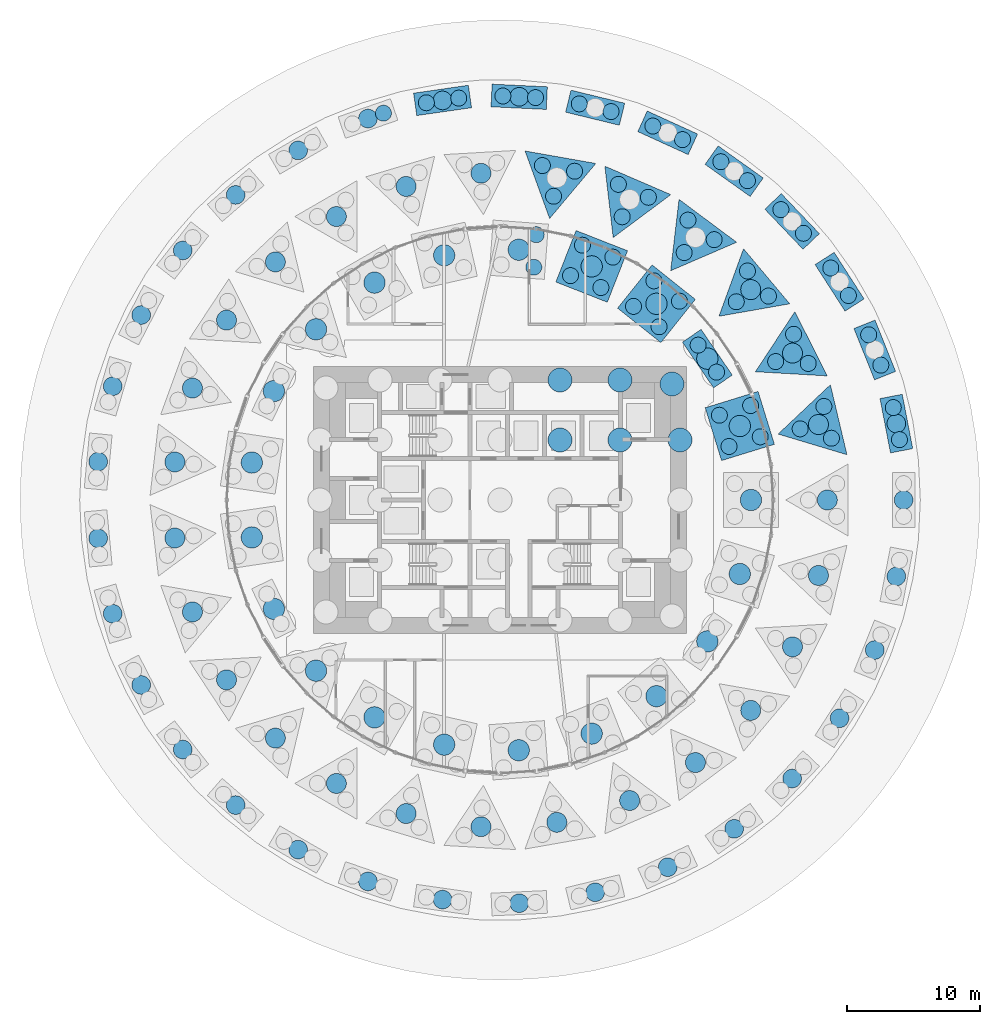
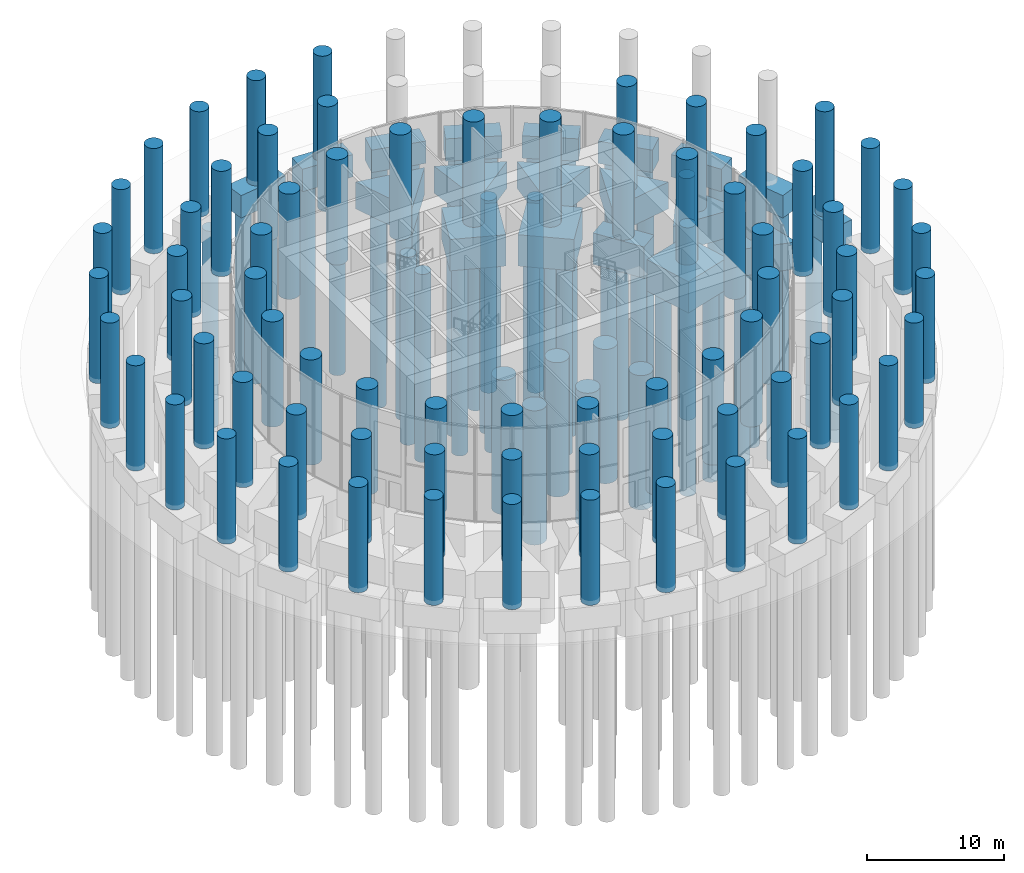
# One storey, part 4 of 20: 72 columns, 59 piles, 19 footings.
"""IFC4 building model written with IfcOpenShell, lengths in metres."""

import ifcopenshell
import ifcopenshell.guid

model = None  # the IFC model being written
_history = None  # IfcOwnerHistory: only IFC2X3 demands one
_inside = {}  # id of a spatial element -> (the spatial element, [elements in it])
_under = {}  # id of a project, library or spatial element -> (it, [spatial elements below it])
_declared = {}  # id of a project -> (the project, [libraries it declares])
_typed = {}  # id of a type object -> (the type object, [elements of that type])
_made_of = {}  # id of a material, layer set ... -> (it, [elements and type objects made of it])


def new_model(schema):
    """Start an empty IFC model of exactly this schema.

    Asked for "IFC4X3", IfcOpenShell would pick the latest addendum, in which some entities
    have other attributes; the version numbers below select the first issue.
    IFC2X3 requires an IfcOwnerHistory on every rooted entity: one is made here for all.
    """
    global model, _history
    if schema == "IFC4X3":
        model = ifcopenshell.file(schema_version=(4, 3, 0, 0))
    else:
        model = ifcopenshell.file(schema=schema)
    _inside.clear()
    _under.clear()
    _declared.clear()
    _typed.clear()
    _made_of.clear()
    _history = None
    if model.schema == "IFC2X3":
        org = make("IfcOrganization", Name="unknown")
        user = make(
            "IfcPersonAndOrganization",
            ThePerson=make("IfcPerson", FamilyName="unknown"),
            TheOrganization=org,
        )
        app = make(
            "IfcApplication",
            ApplicationDeveloper=org,
            Version="unknown",
            ApplicationFullName="unknown",
            ApplicationIdentifier="unknown",
        )
        _history = make(
            "IfcOwnerHistory",
            OwningUser=user,
            OwningApplication=app,
            ChangeAction="ADDED",
            CreationDate=0,
        )
    return model


def make(cls, **values):
    """One entity of the class cls with the attributes given. An attribute that is None is left unset."""
    return model.create_entity(
        cls, **{name: value for name, value in values.items() if value is not None}
    )


def rooted(cls, **values):
    """An entity with a GlobalId (a new one), such as an element, a storey or a relation."""
    return make(cls, GlobalId=ifcopenshell.guid.new(), OwnerHistory=_history, **values)


def si_unit(unit_type, name, prefix=None):
    """IfcSIUnit, for example si_unit("LENGTHUNIT", "METRE", prefix="MILLI")."""
    return make("IfcSIUnit", UnitType=unit_type, Prefix=prefix, Name=name)


def assignment(units):
    """IfcUnitAssignment: the units of a project."""
    return None if units is None else make("IfcUnitAssignment", Units=units)


def point(xyz):
    """IfcCartesianPoint."""
    return None if xyz is None else make("IfcCartesianPoint", Coordinates=xyz)


def direction(xyz):
    """IfcDirection."""
    return None if xyz is None else make("IfcDirection", DirectionRatios=xyz)


def frame(location, z_axis=None, x_axis=None):
    """IfcAxis2Placement3D, a coordinate frame: its origin and axes. An axis left out is left unset."""
    return make(
        "IfcAxis2Placement3D",
        Location=point(location),
        Axis=direction(z_axis),
        RefDirection=direction(x_axis),
    )


def frame_2d(location, x_axis=None):
    """IfcAxis2Placement2D, a coordinate frame in the plane: its origin and x axis."""
    return make(
        "IfcAxis2Placement2D", Location=point(location), RefDirection=direction(x_axis)
    )


def origin():
    """The frame at (0, 0, 0) with its axes left unset."""
    return frame((0.0, 0.0, 0.0))


def origin_2d():
    """The frame at (0, 0) in the plane with its x axis left unset."""
    return frame_2d((0.0, 0.0))


def place(relative_to, where):
    """IfcLocalPlacement: puts the frame where relative to a parent placement (None: the world)."""
    return make(
        "IfcLocalPlacement", PlacementRelTo=relative_to, RelativePlacement=where
    )


def context(
    kind, dimensions, precision=None, world=None, true_north=None, identifier=None
):
    """IfcGeometricRepresentationContext, for example the 3D "Model" context."""
    return make(
        "IfcGeometricRepresentationContext",
        ContextIdentifier=identifier,
        ContextType=kind,
        CoordinateSpaceDimension=dimensions,
        Precision=precision,
        WorldCoordinateSystem=world,
        TrueNorth=true_north,
    )


def subcontext(parent, identifier, kind, view, scale=None):
    """IfcGeometricRepresentationSubContext, for example "Body" below "Model"."""
    return make(
        "IfcGeometricRepresentationSubContext",
        ContextIdentifier=identifier,
        ContextType=kind,
        ParentContext=parent,
        TargetScale=scale,
        TargetView=view,
    )


def project(units=None, contexts=None):
    """IfcProject with its units and contexts."""
    return rooted(
        "IfcProject",
        Name="project",
        RepresentationContexts=contexts,
        UnitsInContext=assignment(units),
    )


def spatial(cls, under=None, at=None, **own):
    """A site, building, storey or space (cls), placed at a placement, below another one or the project."""
    s = rooted(cls, ObjectPlacement=at, **own)
    if under is not None:
        _under.setdefault(under.id(), (under, []))[1].append(s)
    return s


def polyline(points):
    """IfcPolyline through the points."""
    return make("IfcPolyline", Points=[point(p) for p in points])


def profile(cls, at=None, kind="AREA", **sizes):
    """A parametric profile (cls). Its sizes go by their IFC names, for example OverallWidth=200.0."""
    return make(cls, ProfileType=kind, Position=at, **sizes)


def circle(**sizes):
    """IfcCircleProfileDef."""
    return profile("IfcCircleProfileDef", **sizes)


def outline(outer, holes=None, kind="AREA"):
    """IfcArbitraryClosedProfileDef: a profile drawn as a closed curve; with holes, ...WithVoids."""
    if holes is None:
        return make("IfcArbitraryClosedProfileDef", ProfileType=kind, OuterCurve=outer)
    return make(
        "IfcArbitraryProfileDefWithVoids",
        ProfileType=kind,
        OuterCurve=outer,
        InnerCurves=holes,
    )


def extrude(swept, where, along, depth):
    """IfcExtrudedAreaSolid: the profile swept, set in the frame where, extruded along a direction by depth."""
    return make(
        "IfcExtrudedAreaSolid",
        SweptArea=swept,
        Position=where,
        ExtrudedDirection=direction(along),
        Depth=depth,
    )


def shape(context_of_items, identifier, shape_type, items):
    """IfcShapeRepresentation: the items that make up one representation, for example the "Body"."""
    return make(
        "IfcShapeRepresentation",
        ContextOfItems=context_of_items,
        RepresentationIdentifier=identifier,
        RepresentationType=shape_type,
        Items=items,
    )


def material(Name=None, Category=None):
    """IfcMaterial."""
    return make("IfcMaterial", Name=Name, Category=Category)


def material_profile(
    of_material, cross_section, Name=None, Category=None, Priority=None
):
    """IfcMaterialProfile: a cross section and its material."""
    return make(
        "IfcMaterialProfile",
        Name=Name,
        Material=of_material,
        Profile=cross_section,
        Priority=Priority,
        Category=Category,
    )


def profile_set(profiles, Name=None, composite=None):
    """IfcMaterialProfileSet."""
    return make(
        "IfcMaterialProfileSet",
        Name=Name,
        MaterialProfiles=profiles,
        CompositeProfile=composite,
    )


def made_of(thing, what):
    """Note that an element or type object is made of a material, layer set ...; save() writes the relation."""
    if what is not None:
        _made_of.setdefault(what.id(), (what, []))[1].append(thing)
    return thing


def type_object(cls, material=None, **own):
    """A type object (cls), such as IfcWallType, which elements share."""
    return made_of(rooted(cls, **own), material)


def element(
    cls,
    number,
    at=None,
    inside=None,
    cuts=None,
    type_object=None,
    material=None,
    context=None,
    identifier="Body",
    shape_type=None,
    held_by="IfcProductDefinitionShape",
    body=None,
    shapes=None,
    **own,
):
    """One element of the class cls, such as IfcWall. Its Tag is "e" and its number.

    at: its placement. inside: the storey or other place that contains it. cuts: it is an
    opening in that element (IfcRelVoidsElement). A single representation is given by context,
    identifier, shape_type and body (its items); several are given by shapes. held_by: the class
    of the entity that holds the representations. save() writes the other relations.
    """
    e = rooted(cls, Tag="e%d" % number, ObjectPlacement=at, **own)
    if body is not None:
        shapes = [shape(context, identifier, shape_type, body)]
    if shapes is not None:
        e.Representation = make(held_by, Representations=shapes)
    if inside is not None:
        _inside.setdefault(inside.id(), (inside, []))[1].append(e)
    if cuts is not None:
        rooted(
            "IfcRelVoidsElement", RelatingBuildingElement=cuts, RelatedOpeningElement=e
        )
    if type_object is not None:
        _typed.setdefault(type_object.id(), (type_object, []))[1].append(e)
    return made_of(e, material)


def aggregate(whole, parts):
    """IfcRelAggregates: a whole, such as a stair, and the parts it consists of."""
    return rooted("IfcRelAggregates", RelatingObject=whole, RelatedObjects=parts)


def save(model, path):
    """Write the relations noted so far, then the file.

    IfcRelAggregates (storeys below a building ...), IfcRelContainedInSpatialStructure (elements
    in a storey), IfcRelDefinesByType, IfcRelAssociatesMaterial and IfcRelDeclares: one each for
    every whole, place, type object, material and project.
    """
    for whole, parts in _under.values():
        aggregate(whole, parts)
    for where, things in _inside.values():
        rooted(
            "IfcRelContainedInSpatialStructure",
            RelatedElements=things,
            RelatingStructure=where,
        )
    for kind, things in _typed.values():
        rooted("IfcRelDefinesByType", RelatedObjects=things, RelatingType=kind)
    for what, things in _made_of.values():
        rooted("IfcRelAssociatesMaterial", RelatedObjects=things, RelatingMaterial=what)
    for by, libraries in _declared.values():
        rooted("IfcRelDeclares", RelatingContext=by, RelatedDefinitions=libraries)
    model.write(path)


model = new_model("IFC4")

# Units and contexts
model_context = context("Model", 3, precision=1e-05, world=origin(), true_north=direction((0.0, 1.0)))
body_context = subcontext(model_context, "Body", "Model", "MODEL_VIEW")
ifc_project = project(units=[si_unit("LENGTHUNIT", "METRE"), si_unit("AREAUNIT", "SQUARE_METRE"), si_unit("VOLUMEUNIT", "CUBIC_METRE"), si_unit("PLANEANGLEUNIT", "RADIAN"), si_unit("MASSUNIT", "GRAM", prefix="KILO")], contexts=[model_context])

# Site, building, storey
site_placement = place(None, origin())
site = spatial("IfcSite", under=ifc_project, at=site_placement, CompositionType="ELEMENT")
building_placement = place(site_placement, origin())
building = spatial("IfcBuilding", under=site, at=building_placement, Name="Tracery Tower", CompositionType="ELEMENT")
storey_placement = place(building_placement, origin())
storey = spatial("IfcBuildingStorey", under=building, at=storey_placement, Name="L00", CompositionType="ELEMENT", Elevation=0.0)

# Piles
ifc_material_1 = material(Name="Concrete C50/60", Category="concrete")
ifc_material_profile_1 = material_profile(ifc_material_1, circle(Radius=0.89990234375, at=origin_2d()), Name="RC D1800")
ifc_profile_set_1 = profile_set([ifc_material_profile_1], Name="Concrete C50/60")
pile_type_1 = type_object("IfcPileType", Name="Core bored pile D1800", PredefinedType="BORED", material=ifc_profile_set_1)
for number, where, z_axis, x_axis, name in (
    (1, (4.5, 4.5, -8.0), (0.0, 0.0, -1.0), (1.0, 0.0, 0.0), "Core bored pile 24"),
    (2, (4.5, 9.0, -8.0), (0.0, 0.0, -1.0), (1.0, 0.0, 0.0), "Core bored pile 25"),
    (3, (9.0, 4.5, -8.0), (0.0, 0.0, -1.0), (1.0, 0.0, 0.0), "Core bored pile 29"),
    (4, (9.0, 9.0, -8.0), (0.0, 0.0, -1.0), (1.0, 0.0, 0.0), "Core bored pile 30"),
    (5, (13.5, 4.5, -8.0), (0.0, 0.0, -1.0), (1.0, 0.0, 0.0), "Core bored pile 34"),
    (6, (12.89990234375, 8.699951171875, -8.0), (0.0, 0.0, -1.0), (1.0, 0.0, 0.0), "Core bored pile 35"),
):
    element("IfcPile", number, at=place(storey_placement, frame(where, z_axis=z_axis, x_axis=x_axis)), inside=storey, type_object=pile_type_1, Name=name, PredefinedType="BORED", context=body_context, shape_type="SweptSolid", body=[
        extrude(circle(Radius=0.89990234375, at=origin_2d()), origin(), (0.0, 0.0, 1.0), 12.0),
    ])
ifc_material_2 = material(Name="Concrete C50/60", Category="concrete")
ifc_material_profile_2 = material_profile(ifc_material_2, circle(Radius=0.60009765625, at=origin_2d()), Name="RC D1200")
ifc_profile_set_2 = profile_set([ifc_material_profile_2], Name="Concrete C50/60")
pile_type_2 = type_object("IfcPileType", Name="Ring 0 bored pile D1200", PredefinedType="BORED", material=ifc_profile_set_2)
for number, where, z_axis, x_axis, name in (
    (7, (29.959228515625, 4.526611328125, -2.39990234375), (0.0, 0.0, -1.0), (1.0, 0.0, 0.0), "Bored pile 1 under ring 0 column 01"),
    (8, (29.49560546875, 6.932373046875, -2.39990234375), (0.0, 0.0, -1.0), (1.0, 0.0, 0.0), "Bored pile 2 under ring 0 column 01"),
    (9, (28.561279296875, 10.11474609375, -2.39990234375), (0.0, 0.0, -1.0), (1.0, 0.0, 0.0), "Bored pile 1 under ring 0 column 02"),
    (10, (27.650634765625, 12.38916015625, -2.39990234375), (0.0, 0.0, -1.0), (1.0, 0.0, 0.0), "Bored pile 2 under ring 0 column 02"),
    (11, (26.130859375, 15.337158203125, -2.39990234375), (0.0, 0.0, -1.0), (1.0, 0.0, 0.0), "Bored pile 1 under ring 0 column 03"),
    (12, (24.806396484375, 17.398193359375, -2.39990234375), (0.0, 0.0, -1.0), (1.0, 0.0, 0.0), "Bored pile 2 under ring 0 column 03"),
    (13, (22.756103515625, 20.00537109375, -2.39990234375), (0.0, 0.0, -1.0), (1.0, 0.0, 0.0), "Bored pile 1 under ring 0 column 04"),
    (14, (21.0654296875, 21.7783203125, -2.39990234375), (0.0, 0.0, -1.0), (1.0, 0.0, 0.0), "Bored pile 2 under ring 0 column 04"),
    (15, (18.558837890625, 23.950439453125, -2.39990234375), (0.0, 0.0, -1.0), (1.0, 0.0, 0.0), "Bored pile 1 under ring 0 column 05"),
    (16, (16.56298828125, 25.37158203125, -2.39990234375), (0.0, 0.0, -1.0), (1.0, 0.0, 0.0), "Bored pile 2 under ring 0 column 05"),
    (17, (13.69091796875, 27.02978515625, -2.39990234375), (0.0, 0.0, -1.0), (1.0, 0.0, 0.0), "Bored pile 1 under ring 0 column 06"),
    (18, (11.462158203125, 28.047607421875, -2.39990234375), (0.0, 0.0, -1.0), (1.0, 0.0, 0.0), "Bored pile 2 under ring 0 column 06"),
    (19, (8.327880859375, 29.13232421875, -2.39990234375), (0.0, 0.0, -1.0), (1.0, 0.0, 0.0), "Bored pile 1 under ring 0 column 07"),
    (20, (5.947021484375, 29.7099609375, -2.39990234375), (0.0, 0.0, -1.0), (1.0, 0.0, 0.0), "Bored pile 2 under ring 0 column 07"),
    (21, (2.6640625, 30.181884765625, -2.39990234375), (0.0, 0.0, -1.0), (1.0, 0.0, 0.0), "Bored pile 1 under ring 0 column 08"),
    (22, (0.216796875, 30.298583984375, -2.39990234375), (0.0, 0.0, -1.0), (1.0, 0.0, 0.0), "Bored pile 2 under ring 0 column 08"),
    (23, (-3.095947265625, 30.140869140625, -2.39990234375), (0.0, 0.0, -1.0), (1.0, 0.0, 0.0), "Bored pile 1 under ring 0 column 09"),
    (24, (-5.52099609375, 29.7919921875, -2.39990234375), (0.0, 0.0, -1.0), (1.0, 0.0, 0.0), "Bored pile 2 under ring 0 column 09"),
    (25, (-8.744140625, 29.01025390625, -2.39990234375), (0.0, 0.0, -1.0), (1.0, 0.0, 0.0), "Bored pile 1 under ring 0 column 10"),
):
    element("IfcPile", number, at=place(storey_placement, frame(where, z_axis=z_axis, x_axis=x_axis)), inside=storey, type_object=pile_type_2, Name=name, PredefinedType="BORED", context=body_context, shape_type="SweptSolid", body=[
        extrude(circle(Radius=0.60009765625, at=origin_2d()), origin(), (0.0, 0.0, 1.0), 17.60009765625),
    ])

# Footings
ifc_material_3 = material(Name="Concrete C50/60", Category="concrete")
footing_type_1 = type_object("IfcFootingType", Name="Ring 0 pile cap 2 piles", PredefinedType="PILE_CAP", material=ifc_material_3)
footing_1_placement = place(storey_placement, frame((0.0, 0.0, -2.39990234375)))
element("IfcFooting", 26, at=footing_1_placement, inside=storey, type_object=footing_type_1, Name="Pile cap under ring 0 column 01", PredefinedType="PILE_CAP", context=body_context, shape_type="SweptSolid", body=[
    extrude(outline(polyline([(29.28564453125, 3.53125), (30.954833984375, 3.852783203125), (30.7939453125, 4.6875), (30.16943359375, 7.927978515625), (28.500244140625, 7.606201171875), (28.660888671875, 6.771484375), (29.28564453125, 3.53125)])), origin(), (0.0, 0.0, 1.0), 2.0),
])
footing_2_placement = place(storey_placement, frame((0.0, 0.0, -2.39990234375)))
element("IfcFooting", 27, at=footing_2_placement, inside=storey, type_object=footing_type_1, Name="Pile cap under ring 0 column 02", PredefinedType="PILE_CAP", context=body_context, shape_type="SweptSolid", body=[
    extrude(outline(polyline([(28.088134765625, 9.009765625), (29.666259765625, 9.6416015625), (29.350341796875, 10.4306640625), (28.123779296875, 13.494140625), (26.545654296875, 12.8623046875), (26.861572265625, 12.0732421875), (28.088134765625, 9.009765625)])), origin(), (0.0, 0.0, 1.0), 2.0),
])
footing_3_placement = place(storey_placement, frame((0.0, 0.0, -2.39990234375)))
element("IfcFooting", 28, at=footing_3_placement, inside=storey, type_object=footing_type_1, Name="Pile cap under ring 0 column 03", PredefinedType="PILE_CAP", context=body_context, shape_type="SweptSolid", body=[
    extrude(outline(polyline([(25.87548828125, 14.16259765625), (27.305419921875, 15.08154296875), (26.845947265625, 15.796630859375), (25.061767578125, 18.57275390625), (23.631591796875, 17.65380859375), (24.09130859375, 16.938720703125), (25.87548828125, 14.16259765625)])), origin(), (0.0, 0.0, 1.0), 2.0),
])
footing_4_placement = place(storey_placement, frame((0.0, 0.0, -2.39990234375)))
element("IfcFooting", 29, at=footing_4_placement, inside=storey, type_object=footing_type_1, Name="Pile cap under ring 0 column 04", PredefinedType="PILE_CAP", context=body_context, shape_type="SweptSolid", body=[
    extrude(outline(polyline([(22.7275390625, 18.803466796875), (23.9580078125, 19.976806640625), (23.371337890625, 20.591796875), (21.093994140625, 22.980224609375), (19.86376953125, 21.806884765625), (20.4501953125, 21.19189453125), (22.7275390625, 18.803466796875)])), origin(), (0.0, 0.0, 1.0), 2.0),
])
footing_5_placement = place(storey_placement, frame((0.0, 0.0, -2.39990234375)))
element("IfcFooting", 30, at=footing_5_placement, inside=storey, type_object=footing_type_1, Name="Pile cap under ring 0 column 05", PredefinedType="PILE_CAP", context=body_context, shape_type="SweptSolid", body=[
    extrude(outline(polyline([(18.75830078125, 22.764892578125), (19.744384765625, 24.149658203125), (19.052001953125, 24.642822265625), (16.36376953125, 26.556884765625), (15.377685546875, 25.172119140625), (16.070068359375, 24.67919921875), (18.75830078125, 22.764892578125)])), origin(), (0.0, 0.0, 1.0), 2.0),
])
footing_6_placement = place(storey_placement, frame((0.0, 0.0, -2.39990234375)))
element("IfcFooting", 31, at=footing_6_placement, inside=storey, type_object=footing_type_1, Name="Pile cap under ring 0 column 06", PredefinedType="PILE_CAP", context=body_context, shape_type="SweptSolid", body=[
    extrude(outline(polyline([(14.11083984375, 25.903564453125), (14.817138671875, 27.449951171875), (14.0439453125, 27.802978515625), (11.0419921875, 29.173828125), (10.3359375, 27.62744140625), (11.109130859375, 27.2744140625), (14.11083984375, 25.903564453125)])), origin(), (0.0, 0.0, 1.0), 2.0),
])
footing_7_placement = place(storey_placement, frame((0.0, 0.0, -2.39990234375)))
element("IfcFooting", 32, at=footing_7_placement, inside=storey, type_object=footing_type_1, Name="Pile cap under ring 0 column 07", PredefinedType="PILE_CAP", context=body_context, shape_type="SweptSolid", body=[
    extrude(outline(polyline([(8.95361328125, 28.10595703125), (9.3544921875, 29.758056640625), (8.5283203125, 29.95849609375), (5.3212890625, 30.736328125), (4.920654296875, 29.08447265625), (5.74658203125, 28.884033203125), (8.95361328125, 28.10595703125)])), origin(), (0.0, 0.0, 1.0), 2.0),
])
footing_8_placement = place(storey_placement, frame((0.0, 0.0, -2.39990234375)))
element("IfcFooting", 33, at=footing_8_placement, inside=storey, type_object=footing_type_1, Name="Pile cap under ring 0 column 08", PredefinedType="PILE_CAP", context=body_context, shape_type="SweptSolid", body=[
    extrude(outline(polyline([(3.47265625, 29.29248046875), (3.5537109375, 30.990478515625), (2.70458984375, 31.031005859375), (-0.591796875, 31.18798828125), (-0.672607421875, 29.489990234375), (0.176513671875, 29.44970703125), (3.47265625, 29.29248046875)])), origin(), (0.0, 0.0, 1.0), 2.0),
])
footing_9_placement = place(storey_placement, frame((0.0, 0.0, -2.39990234375)))
element("IfcFooting", 34, at=footing_9_placement, inside=storey, type_object=footing_type_1, Name="Pile cap under ring 0 column 09", PredefinedType="PILE_CAP", context=body_context, shape_type="SweptSolid", body=[
    extrude(outline(polyline([(-2.1337890625, 29.42041015625), (-2.37548828125, 31.10302734375), (-3.217041015625, 30.982177734375), (-6.4833984375, 30.512451171875), (-6.241455078125, 28.829833984375), (-5.400146484375, 28.95068359375), (-2.1337890625, 29.42041015625)])), origin(), (0.0, 0.0, 1.0), 2.0),
])

# Piles
ifc_material_4 = material(Name="Concrete C50/60", Category="concrete")
ifc_material_profile_3 = material_profile(ifc_material_4, circle(Radius=0.60009765625, at=origin_2d()), Name="RC D1200")
ifc_profile_set_3 = profile_set([ifc_material_profile_3], Name="Concrete C50/60")
pile_type_3 = type_object("IfcPileType", Name="Ring 1 bored pile D1200", PredefinedType="BORED", material=ifc_profile_set_3)
for number, where, z_axis, x_axis, name in (
    (35, (24.856689453125, 4.632080078125, -2.800048828125), (0.0, 0.0, -1.0), (1.0, 0.0, 0.0), "Bored pile 1 under ring 1 column 01"),
    (36, (24.291748046875, 7.01611328125, -2.800048828125), (0.0, 0.0, -1.0), (1.0, 0.0, 0.0), "Bored pile 2 under ring 1 column 01"),
    (37, (22.509521484375, 5.3349609375, -2.800048828125), (0.0, 0.0, -1.0), (1.0, 0.0, 0.0), "Bored pile 3 under ring 1 column 01"),
    (38, (23.118408203125, 10.23974609375, -2.800048828125), (0.0, 0.0, -1.0), (1.0, 0.0, 0.0), "Bored pile 1 under ring 1 column 02"),
    (39, (22.018798828125, 12.42919921875, -2.800048828125), (0.0, 0.0, -1.0), (1.0, 0.0, 0.0), "Bored pile 2 under ring 1 column 02"),
    (40, (20.672607421875, 10.382080078125, -2.800048828125), (0.0, 0.0, -1.0), (1.0, 0.0, 0.0), "Bored pile 3 under ring 1 column 02"),
    (41, (20.1337890625, 15.295166015625, -2.800048828125), (0.0, 0.0, -1.0), (1.0, 0.0, 0.0), "Bored pile 1 under ring 1 column 03"),
    (42, (18.55908203125, 17.172119140625, -2.800048828125), (0.0, 0.0, -1.0), (1.0, 0.0, 0.0), "Bored pile 2 under ring 1 column 03"),
    (43, (17.720947265625, 14.86962890625, -2.800048828125), (0.0, 0.0, -1.0), (1.0, 0.0, 0.0), "Bored pile 3 under ring 1 column 03"),
    (44, (16.063720703125, 19.526123046875, -2.800048828125), (0.0, 0.0, -1.0), (1.0, 0.0, 0.0), "Bored pile 1 under ring 1 column 04"),
    (45, (14.0986328125, 20.989013671875, -2.800048828125), (0.0, 0.0, -1.0), (1.0, 0.0, 0.0), "Bored pile 2 under ring 1 column 04"),
    (46, (13.814208984375, 18.5556640625, -2.800048828125), (0.0, 0.0, -1.0), (1.0, 0.0, 0.0), "Bored pile 3 under ring 1 column 04"),
    (47, (11.127685546875, 22.704345703125, -2.800048828125), (0.0, 0.0, -1.0), (1.0, 0.0, 0.0), "Bored pile 1 under ring 1 column 05"),
    (48, (8.878173828125, 23.6748046875, -2.800048828125), (0.0, 0.0, -1.0), (1.0, 0.0, 0.0), "Bored pile 2 under ring 1 column 05"),
    (49, (9.16259765625, 21.2412109375, -2.800048828125), (0.0, 0.0, -1.0), (1.0, 0.0, 0.0), "Bored pile 3 under ring 1 column 05"),
    (50, (5.591796875, 24.65869140625, -2.800048828125), (0.0, 0.0, -1.0), (1.0, 0.0, 0.0), "Bored pile 1 under ring 1 column 06"),
    (51, (3.17919921875, 25.083984375, -2.800048828125), (0.0, 0.0, -1.0), (1.0, 0.0, 0.0), "Bored pile 2 under ring 1 column 06"),
    (52, (4.01708984375, 22.78173828125, -2.800048828125), (0.0, 0.0, -1.0), (1.0, 0.0, 0.0), "Bored pile 3 under ring 1 column 06"),
):
    element("IfcPile", number, at=place(storey_placement, frame(where, z_axis=z_axis, x_axis=x_axis)), inside=storey, type_object=pile_type_3, Name=name, PredefinedType="BORED", context=body_context, shape_type="SweptSolid", body=[
        extrude(circle(Radius=0.60009765625, at=origin_2d()), origin(), (0.0, 0.0, 1.0), 17.199951171875),
    ])

# Footings
ifc_material_5 = material(Name="Concrete C50/60", Category="concrete")
footing_type_2 = type_object("IfcFootingType", Name="Ring 1 pile cap 3 piles apex inward", PredefinedType="PILE_CAP", material=ifc_material_5)
footing_10_placement = place(storey_placement, frame((0.0, 0.0, -2.800048828125)))
element("IfcFooting", 53, at=footing_10_placement, inside=storey, type_object=footing_type_2, Name="Pile cap under ring 1 column 01", PredefinedType="PILE_CAP", context=body_context, shape_type="SweptSolid", body=[
    extrude(outline(polyline([(24.779296875, 8.644775390625), (20.85546875, 4.94287109375), (26.023193359375, 3.395751953125), (24.779296875, 8.644775390625)])), origin(), (0.0, 0.0, 1.0), 2.400146484375),
])
footing_11_placement = place(storey_placement, frame((0.0, 0.0, -2.800048828125)))
element("IfcFooting", 54, at=footing_11_placement, inside=storey, type_object=footing_type_2, Name="Pile cap under ring 1 column 02", PredefinedType="PILE_CAP", context=body_context, shape_type="SweptSolid", body=[
    extrude(outline(polyline([(22.11767578125, 14.126220703125), (19.1533203125, 9.619140625), (24.538818359375, 9.305419921875), (22.11767578125, 14.126220703125)])), origin(), (0.0, 0.0, 1.0), 2.400146484375),
])
footing_12_placement = place(storey_placement, frame((0.0, 0.0, -2.800048828125)))
element("IfcFooting", 55, at=footing_12_placement, inside=storey, type_object=footing_type_2, Name="Pile cap under ring 1 column 03", PredefinedType="PILE_CAP", context=body_context, shape_type="SweptSolid", body=[
    extrude(outline(polyline([(18.263916015625, 18.84619140625), (16.418701171875, 13.777099609375), (21.731201171875, 14.713623046875), (18.263916015625, 18.84619140625)])), origin(), (0.0, 0.0, 1.0), 2.400146484375),
])
footing_13_placement = place(storey_placement, frame((0.0, 0.0, -2.800048828125)))
element("IfcFooting", 56, at=footing_13_placement, inside=storey, type_object=footing_type_2, Name="Pile cap under ring 1 column 04", PredefinedType="PILE_CAP", context=body_context, shape_type="SweptSolid", body=[
    extrude(outline(polyline([(13.42529296875, 22.550048828125), (12.799072265625, 17.192138671875), (17.752197265625, 19.32861328125), (13.42529296875, 22.550048828125)])), origin(), (0.0, 0.0, 1.0), 2.400146484375),
])
footing_14_placement = place(storey_placement, frame((0.0, 0.0, -2.800048828125)))
element("IfcFooting", 57, at=footing_14_placement, inside=storey, type_object=footing_type_2, Name="Pile cap under ring 1 column 05", PredefinedType="PILE_CAP", context=body_context, shape_type="SweptSolid", body=[
    extrude(outline(polyline([(7.863037109375, 25.038330078125), (8.4892578125, 19.680419921875), (12.81640625, 22.901611328125), (7.863037109375, 25.038330078125)])), origin(), (0.0, 0.0, 1.0), 2.400146484375),
])
footing_15_placement = place(storey_placement, frame((0.0, 0.0, -2.800048828125)))
element("IfcFooting", 58, at=footing_15_placement, inside=storey, type_object=footing_type_2, Name="Pile cap under ring 1 column 06", PredefinedType="PILE_CAP", context=body_context, shape_type="SweptSolid", body=[
    extrude(outline(polyline([(1.876708984375, 26.1767578125), (3.7216796875, 21.107666015625), (7.189453125, 25.239990234375), (1.876708984375, 26.1767578125)])), origin(), (0.0, 0.0, 1.0), 2.400146484375),
])

# Piles
ifc_material_6 = material(Name="Concrete C50/60", Category="concrete")
ifc_material_profile_4 = material_profile(ifc_material_6, circle(Radius=0.60009765625, at=origin_2d()), Name="RC D1200")
ifc_profile_set_4 = profile_set([ifc_material_profile_4], Name="Concrete C50/60")
pile_type_4 = type_object("IfcPileType", Name="Ring 2 bored pile D1200", PredefinedType="BORED", material=ifc_profile_set_4)
for number, where, z_axis, x_axis, name in (
    (59, (17.176513671875, 4.016357421875, -3.199951171875), (0.0, 0.0, -1.0), (1.0, 0.0, 0.0), "Bored pile 1 under ring 2 column 01"),
    (60, (16.454345703125, 6.357421875, -3.199951171875), (0.0, 0.0, -1.0), (1.0, 0.0, 0.0), "Bored pile 2 under ring 2 column 01"),
    (61, (19.517578125, 4.73828125, -3.199951171875), (0.0, 0.0, -1.0), (1.0, 0.0, 0.0), "Bored pile 3 under ring 2 column 01"),
    (62, (18.79541015625, 7.07958984375, -3.199951171875), (0.0, 0.0, -1.0), (1.0, 0.0, 0.0), "Bored pile 4 under ring 2 column 01"),
    (63, (16.24169921875, 9.5908203125, -3.199951171875), (0.0, 0.0, -1.0), (1.0, 0.0, 0.0), "Bored pile 1 under ring 2 column 02"),
    (64, (14.861572265625, 11.614990234375, -3.199951171875), (0.0, 0.0, -1.0), (1.0, 0.0, 0.0), "Bored pile 2 under ring 2 column 02"),
    (65, (11.929443359375, 12.994384765625, -3.199951171875), (0.0, 0.0, -1.0), (1.0, 0.0, 0.0), "Bored pile 1 under ring 2 column 03"),
    (66, (10.013916015625, 14.521728515625, -3.199951171875), (0.0, 0.0, -1.0), (1.0, 0.0, 0.0), "Bored pile 2 under ring 2 column 03"),
    (67, (13.45703125, 14.909912109375, -3.199951171875), (0.0, 0.0, -1.0), (1.0, 0.0, 0.0), "Bored pile 3 under ring 2 column 03"),
    (68, (11.54150390625, 16.437255859375, -3.199951171875), (0.0, 0.0, -1.0), (1.0, 0.0, 0.0), "Bored pile 4 under ring 2 column 03"),
    (69, (7.5693359375, 15.93310546875, -3.199951171875), (0.0, 0.0, -1.0), (1.0, 0.0, 0.0), "Bored pile 1 under ring 2 column 04"),
    (70, (5.288818359375, 16.828369140625, -3.199951171875), (0.0, 0.0, -1.0), (1.0, 0.0, 0.0), "Bored pile 2 under ring 2 column 04"),
    (71, (8.46435546875, 18.2138671875, -3.199951171875), (0.0, 0.0, -1.0), (1.0, 0.0, 0.0), "Bored pile 3 under ring 2 column 04"),
    (72, (6.18359375, 19.10888671875, -3.199951171875), (0.0, 0.0, -1.0), (1.0, 0.0, 0.0), "Bored pile 4 under ring 2 column 04"),
    (73, (2.53662109375, 17.45654296875, -3.199951171875), (0.0, 0.0, -1.0), (1.0, 0.0, 0.0), "Bored pile 1 under ring 2 column 05"),
    (74, (2.7197265625, 19.899658203125, -3.199951171875), (0.0, 0.0, -1.0), (1.0, 0.0, 0.0), "Bored pile 3 under ring 2 column 05"),
):
    element("IfcPile", number, at=place(storey_placement, frame(where, z_axis=z_axis, x_axis=x_axis)), inside=storey, type_object=pile_type_4, Name=name, PredefinedType="BORED", context=body_context, shape_type="SweptSolid", body=[
        extrude(circle(Radius=0.60009765625, at=origin_2d()), origin(), (0.0, 0.0, 1.0), 16.800048828125),
    ])

# Footings
ifc_material_7 = material(Name="Concrete C50/60", Category="concrete")
footing_type_3 = type_object("IfcFootingType", Name="Ring 2 pile cap 2 piles", PredefinedType="PILE_CAP", material=ifc_material_7)
footing_16_placement = place(storey_placement, frame((0.0, 0.0, -3.199951171875)))
element("IfcFooting", 75, at=footing_16_placement, inside=storey, type_object=footing_type_3, Name="Pile cap under ring 2 column 02", PredefinedType="PILE_CAP", context=body_context, shape_type="SweptSolid", body=[
    extrude(outline(polyline([(16.018310546875, 8.40966796875), (17.4228515625, 9.3671875), (16.944091796875, 10.069580078125), (15.0849609375, 12.796142578125), (13.680419921875, 11.838623046875), (14.1591796875, 11.13623046875), (16.018310546875, 8.40966796875)])), origin(), (0.0, 0.0, 1.0), 2.800048828125),
])
ifc_material_8 = material(Name="Concrete C50/60", Category="concrete")
footing_type_4 = type_object("IfcFootingType", Name="Ring 2 pile cap 4 piles", PredefinedType="PILE_CAP", material=ifc_material_8)
footing_17_placement = place(storey_placement, frame((0.0, 0.0, -3.199951171875)))
element("IfcFooting", 76, at=footing_17_placement, inside=storey, type_object=footing_type_4, Name="Pile cap under ring 2 column 01", PredefinedType="PILE_CAP", context=body_context, shape_type="SweptSolid", body=[
    extrude(outline(polyline([(20.580322265625, 4.1767578125), (19.357177734375, 8.142333984375), (15.3916015625, 6.919189453125), (16.61474609375, 2.95361328125), (20.580322265625, 4.1767578125)])), origin(), (0.0, 0.0, 1.0), 2.800048828125),
])
footing_18_placement = place(storey_placement, frame((0.0, 0.0, -3.199951171875)))
element("IfcFooting", 77, at=footing_18_placement, inside=storey, type_object=footing_type_4, Name="Pile cap under ring 2 column 03", PredefinedType="PILE_CAP", context=body_context, shape_type="SweptSolid", body=[
    extrude(outline(polyline([(14.651611328125, 15.044189453125), (11.406982421875, 17.6318359375), (8.8193359375, 14.38720703125), (12.06396484375, 11.7998046875), (14.651611328125, 15.044189453125)])), origin(), (0.0, 0.0, 1.0), 2.800048828125),
])
footing_19_placement = place(storey_placement, frame((0.0, 0.0, -3.199951171875)))
element("IfcFooting", 78, at=footing_19_placement, inside=storey, type_object=footing_type_4, Name="Pile cap under ring 2 column 04", PredefinedType="PILE_CAP", context=body_context, shape_type="SweptSolid", body=[
    extrude(outline(polyline([(9.566162109375, 18.694580078125), (5.702880859375, 20.210693359375), (4.18701171875, 16.34765625), (8.050048828125, 14.831298828125), (9.566162109375, 18.694580078125)])), origin(), (0.0, 0.0, 1.0), 2.800048828125),
])

# Columns
ifc_material_9 = material(Name="Concrete C60/75", Category="concrete")
ifc_material_profile_5 = material_profile(ifc_material_9, circle(Radius=0.699951171875, at=origin_2d()), Name="RC D1400")
ifc_profile_set_5 = profile_set([ifc_material_profile_5], Name="Concrete C60/75")
column_type_1 = type_object("IfcColumnType", Name="Ring 0 ground storey column 1400", PredefinedType="COLUMN", material=ifc_profile_set_5)
for number, where, z_axis, x_axis, name in (
    (79, (30.274658203125, 0.0, -0.39990234375), (0.0, 0.0, 1.0), (1.0, 0.0, 0.0), "Ring 0 column 00 at L00"),
    (80, (29.7275390625, 5.7294921875, -0.39990234375), (0.0, 0.0, 1.0), (1.0, 0.0, 0.0), "Ring 0 column 01 at L00"),
    (81, (1.4404296875, 30.240234375, -0.39990234375), (0.0, 0.0, 1.0), (1.0, 0.0, 0.0), "Ring 0 column 08 at L00"),
    (82, (-4.30859375, 29.96630859375, -0.39990234375), (0.0, 0.0, 1.0), (1.0, 0.0, 0.0), "Ring 0 column 09 at L00"),
    (83, (-9.90185546875, 28.609619140625, -0.39990234375), (0.0, 0.0, 1.0), (1.0, 0.0, 0.0), "Ring 0 column 10 at L00"),
    (84, (-15.13720703125, 26.218505859375, -0.39990234375), (0.0, 0.0, 1.0), (1.0, 0.0, 0.0), "Ring 0 column 11 at L00"),
    (85, (-19.82568359375, 22.8798828125, -0.39990234375), (0.0, 0.0, 1.0), (1.0, 0.0, 0.0), "Ring 0 column 12 at L00"),
    (86, (-23.79736328125, 18.714599609375, -0.39990234375), (0.0, 0.0, 1.0), (1.0, 0.0, 0.0), "Ring 0 column 13 at L00"),
    (87, (-26.9091796875, 13.87255859375, -0.39990234375), (0.0, 0.0, 1.0), (1.0, 0.0, 0.0), "Ring 0 column 14 at L00"),
    (88, (-29.04833984375, 8.529296875, -0.39990234375), (0.0, 0.0, 1.0), (1.0, 0.0, 0.0), "Ring 0 column 15 at L00"),
    (89, (-30.137451171875, 2.877685546875, -0.39990234375), (0.0, 0.0, 1.0), (1.0, 0.0, 0.0), "Ring 0 column 16 at L00"),
    (90, (-30.137451171875, -2.877685546875, -0.39990234375), (0.0, 0.0, 1.0), (1.0, 0.0, 0.0), "Ring 0 column 17 at L00"),
    (91, (-29.04833984375, -8.529296875, -0.39990234375), (0.0, 0.0, 1.0), (1.0, 0.0, 0.0), "Ring 0 column 18 at L00"),
    (92, (-26.9091796875, -13.87255859375, -0.39990234375), (0.0, 0.0, 1.0), (1.0, 0.0, 0.0), "Ring 0 column 19 at L00"),
    (93, (-23.79736328125, -18.714599609375, -0.39990234375), (0.0, 0.0, 1.0), (1.0, 0.0, 0.0), "Ring 0 column 20 at L00"),
    (94, (-19.82568359375, -22.8798828125, -0.39990234375), (0.0, 0.0, 1.0), (1.0, 0.0, 0.0), "Ring 0 column 21 at L00"),
    (95, (-15.13720703125, -26.218505859375, -0.39990234375), (0.0, 0.0, 1.0), (1.0, 0.0, 0.0), "Ring 0 column 22 at L00"),
    (96, (-9.90185546875, -28.609619140625, -0.39990234375), (0.0, 0.0, 1.0), (1.0, 0.0, 0.0), "Ring 0 column 23 at L00"),
    (97, (-4.30859375, -29.96630859375, -0.39990234375), (0.0, 0.0, 1.0), (1.0, 0.0, 0.0), "Ring 0 column 24 at L00"),
    (98, (1.4404296875, -30.240234375, -0.39990234375), (0.0, 0.0, 1.0), (1.0, 0.0, 0.0), "Ring 0 column 25 at L00"),
    (99, (7.137451171875, -29.421142578125, -0.39990234375), (0.0, 0.0, 1.0), (1.0, 0.0, 0.0), "Ring 0 column 26 at L00"),
    (100, (12.576416015625, -27.538818359375, -0.39990234375), (0.0, 0.0, 1.0), (1.0, 0.0, 0.0), "Ring 0 column 27 at L00"),
    (101, (17.56103515625, -24.660888671875, -0.39990234375), (0.0, 0.0, 1.0), (1.0, 0.0, 0.0), "Ring 0 column 28 at L00"),
    (102, (21.910888671875, -20.891845703125, -0.39990234375), (0.0, 0.0, 1.0), (1.0, 0.0, 0.0), "Ring 0 column 29 at L00"),
    (103, (25.468505859375, -16.36767578125, -0.39990234375), (0.0, 0.0, 1.0), (1.0, 0.0, 0.0), "Ring 0 column 30 at L00"),
    (104, (28.10595703125, -11.251953125, -0.39990234375), (0.0, 0.0, 1.0), (1.0, 0.0, 0.0), "Ring 0 column 31 at L00"),
    (105, (29.7275390625, -5.7294921875, -0.39990234375), (0.0, 0.0, 1.0), (1.0, 0.0, 0.0), "Ring 0 column 32 at L00"),
):
    element("IfcColumn", number, at=place(storey_placement, frame(where, z_axis=z_axis, x_axis=x_axis)), inside=storey, type_object=column_type_1, Name=name, PredefinedType="COLUMN", context=body_context, shape_type="SweptSolid", body=[
        extrude(circle(Radius=0.699951171875, at=origin_2d()), origin(), (0.0, 0.0, 1.0), 9.39990234375),
    ])
ifc_material_10 = material(Name="Concrete C60/75", Category="concrete")
ifc_material_profile_6 = material_profile(ifc_material_10, circle(Radius=0.75, at=origin_2d()), Name="RC D1500")
ifc_profile_set_6 = profile_set([ifc_material_profile_6], Name="Concrete C60/75")
column_type_2 = type_object("IfcColumnType", Name="Ring 1 ground storey column 1500", PredefinedType="COLUMN", material=ifc_profile_set_6)
for number, where, z_axis, x_axis, name in (
    (106, (24.547607421875, 0.0, -0.39990234375), (0.0, 0.0, 1.0), (1.0, 0.0, 0.0), "Ring 1 column 00 at L00"),
    (107, (23.885986328125, 5.6611328125, -0.39990234375), (0.0, 0.0, 1.0), (1.0, 0.0, 0.0), "Ring 1 column 01 at L00"),
    (108, (21.9365234375, 11.01708984375, -0.39990234375), (0.0, 0.0, 1.0), (1.0, 0.0, 0.0), "Ring 1 column 02 at L00"),
    (109, (18.8046875, 15.779052734375, -0.39990234375), (0.0, 0.0, 1.0), (1.0, 0.0, 0.0), "Ring 1 column 03 at L00"),
    (110, (-1.42724609375, 24.506103515625, -0.39990234375), (0.0, 0.0, 1.0), (1.0, 0.0, 0.0), "Ring 1 column 07 at L00"),
    (111, (-7.040283203125, 23.516357421875, -0.39990234375), (0.0, 0.0, 1.0), (1.0, 0.0, 0.0), "Ring 1 column 08 at L00"),
    (112, (-12.273681640625, 21.2587890625, -0.39990234375), (0.0, 0.0, 1.0), (1.0, 0.0, 0.0), "Ring 1 column 09 at L00"),
    (113, (-16.845703125, 17.855224609375, -0.39990234375), (0.0, 0.0, 1.0), (1.0, 0.0, 0.0), "Ring 1 column 10 at L00"),
    (114, (-20.50927734375, 13.4892578125, -0.39990234375), (0.0, 0.0, 1.0), (1.0, 0.0, 0.0), "Ring 1 column 11 at L00"),
    (115, (-23.0673828125, 8.395751953125, -0.39990234375), (0.0, 0.0, 1.0), (1.0, 0.0, 0.0), "Ring 1 column 12 at L00"),
    (116, (-24.381591796875, 2.849853515625, -0.39990234375), (0.0, 0.0, 1.0), (1.0, 0.0, 0.0), "Ring 1 column 13 at L00"),
    (117, (-24.381591796875, -2.849853515625, -0.39990234375), (0.0, 0.0, 1.0), (1.0, 0.0, 0.0), "Ring 1 column 14 at L00"),
    (118, (-23.0673828125, -8.395751953125, -0.39990234375), (0.0, 0.0, 1.0), (1.0, 0.0, 0.0), "Ring 1 column 15 at L00"),
    (119, (-20.50927734375, -13.4892578125, -0.39990234375), (0.0, 0.0, 1.0), (1.0, 0.0, 0.0), "Ring 1 column 16 at L00"),
    (120, (-16.845703125, -17.85546875, -0.39990234375), (0.0, 0.0, 1.0), (1.0, 0.0, 0.0), "Ring 1 column 17 at L00"),
    (121, (-12.27392578125, -21.2587890625, -0.39990234375), (0.0, 0.0, 1.0), (1.0, 0.0, 0.0), "Ring 1 column 18 at L00"),
    (122, (-7.040283203125, -23.516357421875, -0.39990234375), (0.0, 0.0, 1.0), (1.0, 0.0, 0.0), "Ring 1 column 19 at L00"),
    (123, (-1.42724609375, -24.506103515625, -0.39990234375), (0.0, 0.0, 1.0), (1.0, 0.0, 0.0), "Ring 1 column 20 at L00"),
    (124, (4.2626953125, -24.1748046875, -0.39990234375), (0.0, 0.0, 1.0), (1.0, 0.0, 0.0), "Ring 1 column 21 at L00"),
    (125, (9.722900390625, -22.5400390625, -0.39990234375), (0.0, 0.0, 1.0), (1.0, 0.0, 0.0), "Ring 1 column 22 at L00"),
    (126, (14.658935546875, -19.690185546875, -0.39990234375), (0.0, 0.0, 1.0), (1.0, 0.0, 0.0), "Ring 1 column 23 at L00"),
    (127, (18.8046875, -15.779052734375, -0.39990234375), (0.0, 0.0, 1.0), (1.0, 0.0, 0.0), "Ring 1 column 24 at L00"),
    (128, (21.9365234375, -11.01708984375, -0.39990234375), (0.0, 0.0, 1.0), (1.0, 0.0, 0.0), "Ring 1 column 25 at L00"),
    (129, (23.885986328125, -5.6611328125, -0.39990234375), (0.0, 0.0, 1.0), (1.0, 0.0, 0.0), "Ring 1 column 26 at L00"),
):
    element("IfcColumn", number, at=place(storey_placement, frame(where, z_axis=z_axis, x_axis=x_axis)), inside=storey, type_object=column_type_2, Name=name, PredefinedType="COLUMN", context=body_context, shape_type="SweptSolid", body=[
        extrude(circle(Radius=0.75, at=origin_2d()), origin(), (0.0, 0.0, 1.0), 9.39990234375),
    ])
ifc_material_11 = material(Name="Concrete C60/75", Category="concrete")
ifc_material_profile_7 = material_profile(ifc_material_11, circle(Radius=0.800048828125, at=origin_2d()), Name="RC D1600")
ifc_profile_set_7 = profile_set([ifc_material_profile_7], Name="Concrete C60/75")
column_type_3 = type_object("IfcColumnType", Name="Ring 2 ground storey column 1600", PredefinedType="COLUMN", material=ifc_profile_set_7)
for number, where, z_axis, x_axis, name in (
    (130, (18.822265625, 0.0, -0.39990234375), (0.0, 0.0, 1.0), (1.0, 0.0, 0.0), "Ring 2 column 00 at L00"),
    (131, (17.986083984375, 5.5478515625, -0.39990234375), (0.0, 0.0, 1.0), (1.0, 0.0, 0.0), "Ring 2 column 01 at L00"),
    (132, (15.551513671875, 10.602783203125, -0.39990234375), (0.0, 0.0, 1.0), (1.0, 0.0, 0.0), "Ring 2 column 02 at L00"),
    (133, (11.7353515625, 14.7158203125, -0.39990234375), (0.0, 0.0, 1.0), (1.0, 0.0, 0.0), "Ring 2 column 03 at L00"),
    (134, (6.87646484375, 17.52099609375, -0.39990234375), (0.0, 0.0, 1.0), (1.0, 0.0, 0.0), "Ring 2 column 04 at L00"),
    (135, (1.406494140625, 18.76953125, -0.39990234375), (0.0, 0.0, 1.0), (1.0, 0.0, 0.0), "Ring 2 column 05 at L00"),
    (136, (-4.188232421875, 18.350341796875, -0.39990234375), (0.0, 0.0, 1.0), (1.0, 0.0, 0.0), "Ring 2 column 06 at L00"),
    (137, (-9.4111328125, 16.300537109375, -0.39990234375), (0.0, 0.0, 1.0), (1.0, 0.0, 0.0), "Ring 2 column 07 at L00"),
    (138, (-13.797607421875, 12.802490234375, -0.39990234375), (0.0, 0.0, 1.0), (1.0, 0.0, 0.0), "Ring 2 column 08 at L00"),
    (139, (-16.958251953125, 8.16650390625, -0.39990234375), (0.0, 0.0, 1.0), (1.0, 0.0, 0.0), "Ring 2 column 09 at L00"),
    (140, (-18.612060546875, 2.805419921875, -0.39990234375), (0.0, 0.0, 1.0), (1.0, 0.0, 0.0), "Ring 2 column 10 at L00"),
    (141, (-18.612060546875, -2.805419921875, -0.39990234375), (0.0, 0.0, 1.0), (1.0, 0.0, 0.0), "Ring 2 column 11 at L00"),
    (142, (-16.958251953125, -8.166748046875, -0.39990234375), (0.0, 0.0, 1.0), (1.0, 0.0, 0.0), "Ring 2 column 12 at L00"),
    (143, (-13.797607421875, -12.80224609375, -0.39990234375), (0.0, 0.0, 1.0), (1.0, 0.0, 0.0), "Ring 2 column 13 at L00"),
    (144, (-9.4111328125, -16.300537109375, -0.39990234375), (0.0, 0.0, 1.0), (1.0, 0.0, 0.0), "Ring 2 column 14 at L00"),
    (145, (-4.188232421875, -18.350341796875, -0.39990234375), (0.0, 0.0, 1.0), (1.0, 0.0, 0.0), "Ring 2 column 15 at L00"),
    (146, (1.406494140625, -18.76953125, -0.39990234375), (0.0, 0.0, 1.0), (1.0, 0.0, 0.0), "Ring 2 column 16 at L00"),
    (147, (6.87646484375, -17.52099609375, -0.39990234375), (0.0, 0.0, 1.0), (1.0, 0.0, 0.0), "Ring 2 column 17 at L00"),
    (148, (11.7353515625, -14.7158203125, -0.39990234375), (0.0, 0.0, 1.0), (1.0, 0.0, 0.0), "Ring 2 column 18 at L00"),
    (149, (15.551513671875, -10.602783203125, -0.39990234375), (0.0, 0.0, 1.0), (1.0, 0.0, 0.0), "Ring 2 column 19 at L00"),
    (150, (17.986083984375, -5.5478515625, -0.39990234375), (0.0, 0.0, 1.0), (1.0, 0.0, 0.0), "Ring 2 column 20 at L00"),
):
    element("IfcColumn", number, at=place(storey_placement, frame(where, z_axis=z_axis, x_axis=x_axis)), inside=storey, type_object=column_type_3, Name=name, PredefinedType="COLUMN", context=body_context, shape_type="SweptSolid", body=[
        extrude(circle(Radius=0.800048828125, at=origin_2d()), origin(), (0.0, 0.0, 1.0), 9.39990234375),
    ])

save(model, "model.ifc")
